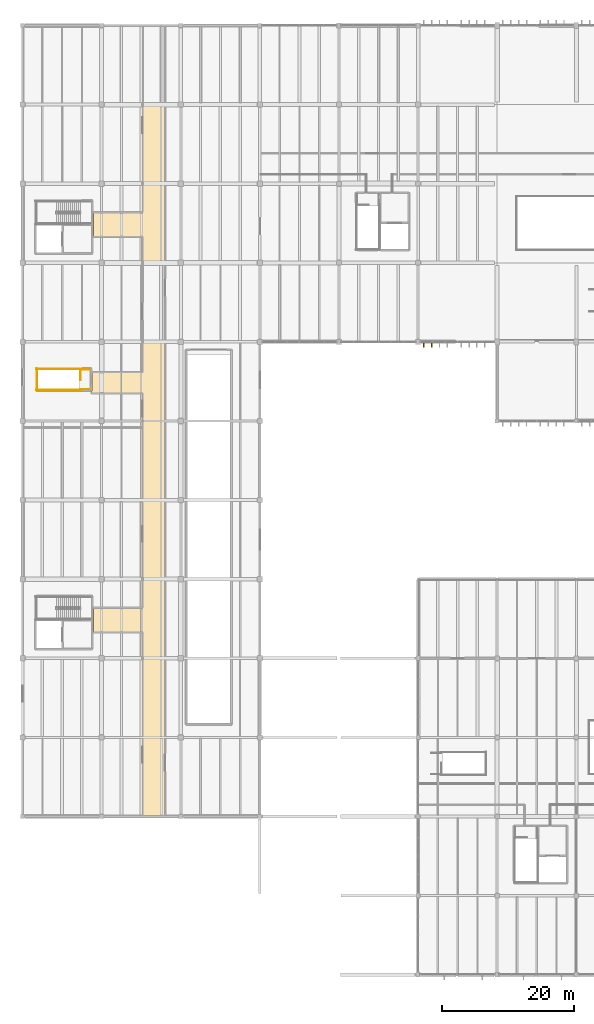
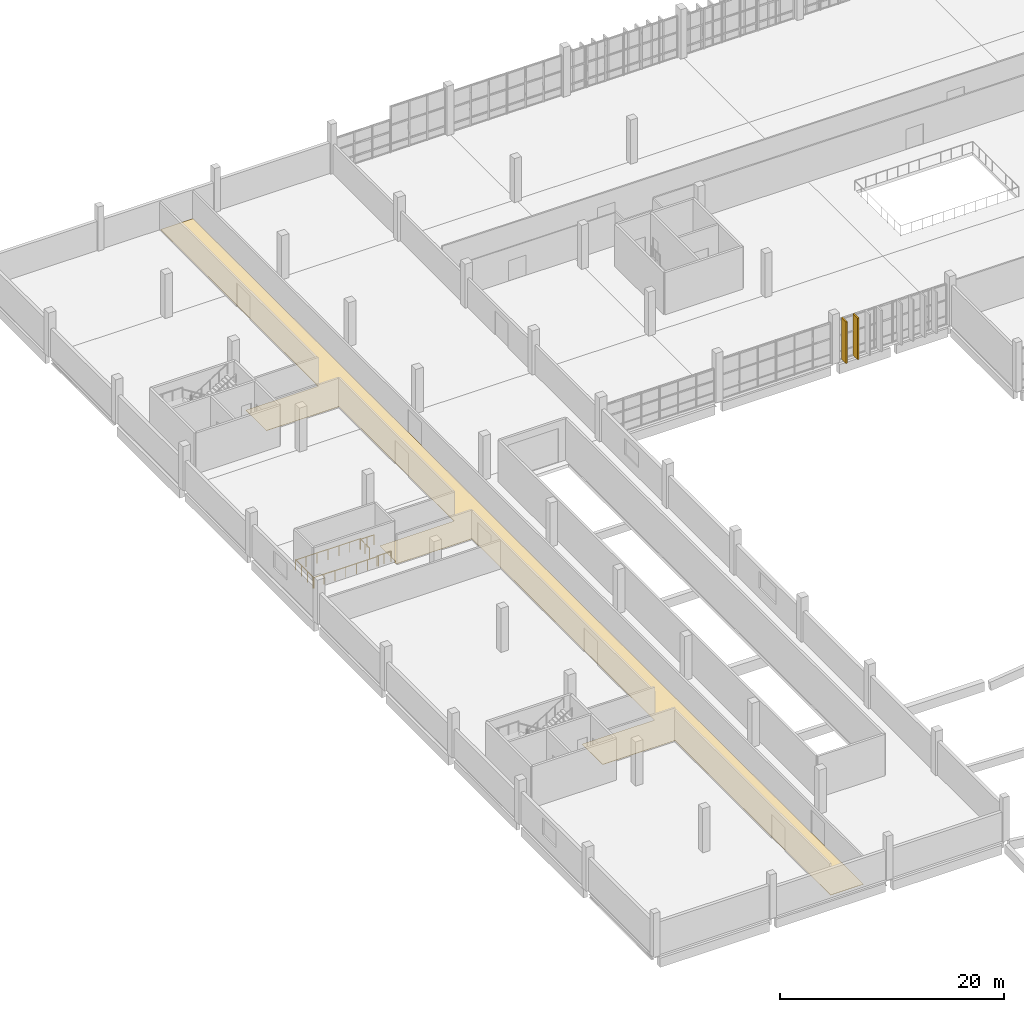
# One storey, part 95 of 112: 6 railings, 3 coverings.
"""IFC4 building model written with IfcOpenShell, lengths in metres."""

from ifc_helpers import new_model, si_unit, direction, frame, origin, origin_2d, place, context, subcontext, project, spatial, polyline, rectangle, circle, outline, extrude, material, layer, layer_set, type_object, element, save


model = new_model("IFC4")

# Units and contexts
model_context = context("Model", 3, precision=1e-05, world=origin(), true_north=direction((0.0, 1.0)))
body_context = subcontext(model_context, "Body", "Model", "MODEL_VIEW")
ifc_project = project(units=[si_unit("LENGTHUNIT", "METRE"), si_unit("AREAUNIT", "SQUARE_METRE"), si_unit("VOLUMEUNIT", "CUBIC_METRE"), si_unit("PLANEANGLEUNIT", "RADIAN"), si_unit("MASSUNIT", "GRAM", prefix="KILO")], contexts=[model_context])

# Site, building, storey
site_placement = place(None, origin())
site = spatial("IfcSite", under=ifc_project, at=site_placement, CompositionType="ELEMENT")
building_placement = place(site_placement, origin())
building = spatial("IfcBuilding", under=site, at=building_placement, Name="Kamomehara Wholesale Market", CompositionType="ELEMENT")
storey_placement = place(building_placement, frame((0.0, 0.0, 6.60009765625)))
storey = spatial("IfcBuildingStorey", under=building, at=storey_placement, Name="L01", CompositionType="ELEMENT", Elevation=6.60009765625)

# Coverings
ifc_material_1 = material(Name="Anodised aluminium 6063-T5 Spectrum Blue", Category="aluminium")
ifc_layer_1 = layer(ifc_material_1, 0.14404296875)
ifc_layer_set_1 = layer_set([ifc_layer_1], Name="Anodised aluminium 6063-T5 Spectrum Blue")
covering_type_1 = type_object("IfcCoveringType", Name="COV-CLD-06", PredefinedType="CLADDING", material=ifc_layer_set_1)
covering_1_placement = place(storey_placement, frame((60.85009765625, 107.594970703125, 0.0), z_axis=(0.0, 0.0, 1.0), x_axis=(1.0, 0.0, 0.0)))
element("IfcCovering", 1, at=covering_1_placement, inside=storey, type_object=covering_type_1, Name="Polychrome spectrum fin S 13", PredefinedType="CLADDING", context=body_context, shape_type="SweptSolid", body=[
    extrude(rectangle(XDim=0.14404296875, YDim=0.85009765625, at=origin_2d()), origin(), (0.0, 0.0, 1.0), 4.5),
])
ifc_material_2 = material(Name="Anodised aluminium 6063-T5 Spectrum Violet", Category="aluminium")
ifc_layer_2 = layer(ifc_material_2, 0.14599609375)
ifc_layer_set_2 = layer_set([ifc_layer_2], Name="Anodised aluminium 6063-T5 Spectrum Violet")
covering_type_2 = type_object("IfcCoveringType", Name="COV-CLD-07", PredefinedType="CLADDING", material=ifc_layer_set_2)
covering_2_placement = place(storey_placement, frame((62.050048828125, 107.594970703125, 0.0), z_axis=(0.0, 0.0, 1.0), x_axis=(1.0, 0.0, 0.0)))
element("IfcCovering", 2, at=covering_2_placement, inside=storey, type_object=covering_type_2, Name="Polychrome spectrum fin S 14", PredefinedType="CLADDING", context=body_context, shape_type="SweptSolid", body=[
    extrude(rectangle(XDim=0.14599609375, YDim=0.85009765625, at=origin_2d()), origin(), (0.0, 0.0, 1.0), 4.5),
])
ifc_material_3 = material(Name="Heavy-duty resin market flooring")
ifc_layer_3 = layer(ifc_material_3, 0.030029296875)
ifc_layer_set_3 = layer_set([ifc_layer_3], Name="Heavy-duty resin market flooring")
covering_type_3 = type_object("IfcCoveringType", Name="COV-FLR-01", PredefinedType="FLOORING", material=ifc_layer_set_3)
covering_3_placement = place(storey_placement, origin())
element("IfcCovering", 3, at=covering_3_placement, inside=storey, type_object=covering_type_3, Name="Resin flooring L01-11", PredefinedType="FLOORING", context=body_context, shape_type="SweptSolid", body=[
    extrude(outline(polyline([(10.43701171875, 100.534912109375), (10.43798828125, 100.535888671875), (10.448974609375, 100.5400390625), (10.449951171875, 100.5400390625), (10.4609375, 100.544921875), (10.4619140625, 100.544921875), (10.471923828125, 100.551025390625), (10.472900390625, 100.552001953125), (10.48193359375, 100.55908203125), (10.48291015625, 100.56005859375), (10.491943359375, 100.568115234375), (10.491943359375, 100.568115234375), (10.5, 100.576904296875), (10.5009765625, 100.577880859375), (10.508056640625, 100.5869140625), (10.509033203125, 100.587890625), (10.514892578125, 100.597900390625), (10.514892578125, 100.59912109375), (10.52001953125, 100.610107421875), (10.52001953125, 100.611083984375), (10.52392578125, 100.6220703125), (10.52490234375, 100.623046875), (10.528076171875, 100.635009765625), (10.528076171875, 100.635009765625), (10.528076171875, 100.635986328125), (10.529052734375, 100.64697265625), (10.529052734375, 100.64697265625), (10.530029296875, 100.658935546875), (10.530029296875, 100.659912109375), (10.530029296875, 103.389892578125), (18.199951171875, 103.389892578125), (18.200927734375, 103.389892578125), (18.201904296875, 103.389892578125), (18.202880859375, 103.389892578125), (18.2041015625, 103.39111328125), (18.205078125, 103.39111328125), (18.2060546875, 103.39208984375), (18.2060546875, 103.39208984375), (18.20703125, 103.39306640625), (18.2080078125, 103.39404296875), (18.2080078125, 103.39404296875), (18.208984375, 103.39501953125), (18.208984375, 103.39599609375), (18.2099609375, 103.39697265625), (18.2099609375, 103.39794921875), (18.2099609375, 103.39892578125), (18.2099609375, 103.39990234375), (18.2099609375, 123.949951171875), (18.2099609375, 123.950927734375), (18.2099609375, 123.951904296875), (18.2099609375, 123.952880859375), (18.208984375, 123.9541015625), (18.208984375, 123.955078125), (18.2080078125, 123.9560546875), (18.2080078125, 123.9560546875), (18.20703125, 123.95703125), (18.2060546875, 123.9580078125), (18.2060546875, 123.9580078125), (18.205078125, 123.958984375), (18.2041015625, 123.958984375), (18.202880859375, 123.9599609375), (18.201904296875, 123.9599609375), (18.200927734375, 123.9599609375), (18.199951171875, 123.9599609375), (10.739990234375, 123.9599609375), (10.739990234375, 127.639892578125), (18.199951171875, 127.639892578125), (18.200927734375, 127.639892578125), (18.201904296875, 127.639892578125), (18.202880859375, 127.639892578125), (18.2041015625, 127.64111328125), (18.205078125, 127.64111328125), (18.2060546875, 127.64208984375), (18.2060546875, 127.64208984375), (18.20703125, 127.64306640625), (18.2080078125, 127.64404296875), (18.2080078125, 127.64404296875), (18.208984375, 127.64501953125), (18.208984375, 127.64599609375), (18.2099609375, 127.64697265625), (18.2099609375, 127.64794921875), (18.2099609375, 127.64892578125), (18.2099609375, 127.64990234375), (18.2099609375, 155.81005859375), (21.590087890625, 155.81005859375), (21.590087890625, 36.18994140625), (18.2099609375, 36.18994140625), (18.2099609375, 63.949951171875), (18.2099609375, 63.950927734375), (18.2099609375, 63.951904296875), (18.2099609375, 63.952880859375), (18.208984375, 63.9541015625), (18.208984375, 63.955078125), (18.2080078125, 63.9560546875), (18.2080078125, 63.9560546875), (18.20703125, 63.95703125), (18.2060546875, 63.9580078125), (18.2060546875, 63.9580078125), (18.205078125, 63.958984375), (18.2041015625, 63.958984375), (18.202880859375, 63.9599609375), (18.201904296875, 63.9599609375), (18.200927734375, 63.9599609375), (18.199951171875, 63.9599609375), (10.739990234375, 63.9599609375), (10.739990234375, 67.639892578125), (18.199951171875, 67.639892578125), (18.200927734375, 67.639892578125), (18.201904296875, 67.639892578125), (18.202880859375, 67.639892578125), (18.2041015625, 67.64111328125), (18.205078125, 67.64111328125), (18.2060546875, 67.64208984375), (18.2060546875, 67.64208984375), (18.20703125, 67.64306640625), (18.2080078125, 67.64404296875), (18.2080078125, 67.64404296875), (18.208984375, 67.64501953125), (18.208984375, 67.64599609375), (18.2099609375, 67.64697265625), (18.2099609375, 67.64794921875), (18.2099609375, 67.64892578125), (18.2099609375, 67.64990234375), (18.2099609375, 100.199951171875), (18.2099609375, 100.200927734375), (18.2099609375, 100.201904296875), (18.2099609375, 100.202880859375), (18.208984375, 100.2041015625), (18.208984375, 100.205078125), (18.2080078125, 100.2060546875), (18.2080078125, 100.2060546875), (18.20703125, 100.20703125), (18.2060546875, 100.2080078125), (18.2060546875, 100.2080078125), (18.205078125, 100.208984375), (18.2041015625, 100.208984375), (18.202880859375, 100.2099609375), (18.201904296875, 100.2099609375), (18.200927734375, 100.2099609375), (18.199951171875, 100.2099609375), (10.409912109375, 100.2099609375), (10.409912109375, 100.531005859375), (10.4130859375, 100.531005859375), (10.4130859375, 100.531005859375), (10.424072265625, 100.531982421875), (10.425048828125, 100.531982421875), (10.425048828125, 100.531982421875), (10.43701171875, 100.534912109375)])), origin(), (0.0, 0.0, 1.0), 0.02978515625),
])

# Railings
ifc_material_4 = material(Name="Steel SN400B", Category="steel")
railing_type = type_object("IfcRailingType", Name="RAL-INT-1100", PredefinedType="BALUSTRADE", material=ifc_material_4)
railing_1_placement = place(storey_placement, frame((8.81005859375, 103.85009765625, 0.0)))
element("IfcRailing", 4, at=railing_1_placement, inside=storey, type_object=railing_type, Name="L01 ST-15 top well guard 1", PredefinedType="BALUSTRADE", context=body_context, shape_type="SweptSolid", body=[
    extrude(circle(Radius=0.02392578125, at=origin_2d()), frame((0.0, 0.0, 1.09619140625), z_axis=(0.0, -1.0, 0.0), x_axis=(1.0, 0.0, 0.0)), (0.0, 0.0, 1.0), 1.64013671875),
    extrude(circle(Radius=0.02099609375, at=origin_2d()), origin(), (0.0, 0.0, 1.0), 1.072021484375),
    extrude(circle(Radius=0.02099609375, at=origin_2d()), frame((0.0, -0.820068359375, 0.0)), (0.0, 0.0, 1.0), 1.072021484375),
    extrude(circle(Radius=0.02099609375, at=origin_2d()), frame((0.0, -1.64013671875, 0.0)), (0.0, 0.0, 1.0), 1.072021484375),
])
for number, where, name in (
    (5, (8.860107421875, 103.89990234375, 0.0), "L01 ST-15 top well guard 2"),
    (6, (8.860107421875, 100.719970703125, 0.0), "L01 ST-15 top well guard 3"),
):
    element("IfcRailing", number, at=place(storey_placement, frame(where)), inside=storey, type_object=railing_type, Name=name, PredefinedType="BALUSTRADE", context=body_context, shape_type="SweptSolid", body=[
        extrude(circle(Radius=0.02392578125, at=origin_2d()), frame((0.0, 0.0, 1.09619140625), z_axis=(-1.0, 0.0, 0.0), x_axis=(0.0, -1.0, 0.0)), (0.0, 0.0, 1.0), 6.739990234375),
        extrude(circle(Radius=0.02099609375, at=origin_2d()), origin(), (0.0, 0.0, 1.0), 1.072021484375),
        extrude(circle(Radius=0.02099609375, at=origin_2d()), frame((-1.123291015625, 0.0, 0.0)), (0.0, 0.0, 1.0), 1.072021484375),
        extrude(circle(Radius=0.02099609375, at=origin_2d()), frame((-2.24658203125, 0.0, 0.0)), (0.0, 0.0, 1.0), 1.072021484375),
        extrude(circle(Radius=0.02099609375, at=origin_2d()), frame((-3.3701171875, 0.0, 0.0)), (0.0, 0.0, 1.0), 1.072021484375),
        extrude(circle(Radius=0.02099609375, at=origin_2d()), frame((-4.493408203125, 0.0, 0.0)), (0.0, 0.0, 1.0), 1.072021484375),
        extrude(circle(Radius=0.02099609375, at=origin_2d()), frame((-5.61669921875, 0.0, 0.0)), (0.0, 0.0, 1.0), 1.072021484375),
        extrude(circle(Radius=0.02099609375, at=origin_2d()), frame((-6.739990234375, 0.0, 0.0)), (0.0, 0.0, 1.0), 1.072021484375),
    ])
railing_2_placement = place(storey_placement, frame((2.169921875, 103.949951171875, 0.0)))
element("IfcRailing", 7, at=railing_2_placement, inside=storey, type_object=railing_type, Name="L01 ST-15 top well guard 4", PredefinedType="BALUSTRADE", context=body_context, shape_type="SweptSolid", body=[
    extrude(circle(Radius=0.02392578125, at=origin_2d()), frame((0.0, 0.0, 1.09619140625), z_axis=(0.0, -1.0, 0.0), x_axis=(1.0, 0.0, 0.0)), (0.0, 0.0, 1.0), 3.280029296875),
    extrude(circle(Radius=0.02099609375, at=origin_2d()), origin(), (0.0, 0.0, 1.0), 1.072021484375),
    extrude(circle(Radius=0.02099609375, at=origin_2d()), frame((0.0, -1.09326171875, 0.0)), (0.0, 0.0, 1.0), 1.072021484375),
    extrude(circle(Radius=0.02099609375, at=origin_2d()), frame((0.0, -2.186767578125, 0.0)), (0.0, 0.0, 1.0), 1.072021484375),
    extrude(circle(Radius=0.02099609375, at=origin_2d()), frame((0.0, -3.280029296875, 0.0)), (0.0, 0.0, 1.0), 1.072021484375),
])
for number, where, name in (
    (8, (10.199951171875, 103.800048828125, 0.0), "L01 ST-15 top well guard 5"),
    (9, (10.199951171875, 100.820068359375, 0.0), "L01 ST-15 top well guard 6"),
):
    element("IfcRailing", number, at=place(storey_placement, frame(where)), inside=storey, type_object=railing_type, Name=name, PredefinedType="BALUSTRADE", context=body_context, shape_type="SweptSolid", body=[
        extrude(circle(Radius=0.02392578125, at=origin_2d()), frame((0.0, 0.0, 1.09619140625), z_axis=(-1.0, 0.0, 0.0), x_axis=(0.0, -1.0, 0.0)), (0.0, 0.0, 1.0), 1.43994140625),
        extrude(circle(Radius=0.02099609375, at=origin_2d()), origin(), (0.0, 0.0, 1.0), 1.072021484375),
        extrude(circle(Radius=0.02099609375, at=origin_2d()), frame((-0.719970703125, 0.0, 0.0)), (0.0, 0.0, 1.0), 1.072021484375),
        extrude(circle(Radius=0.02099609375, at=origin_2d()), frame((-1.43994140625, 0.0, 0.0)), (0.0, 0.0, 1.0), 1.072021484375),
    ])

save(model, "model.ifc")
